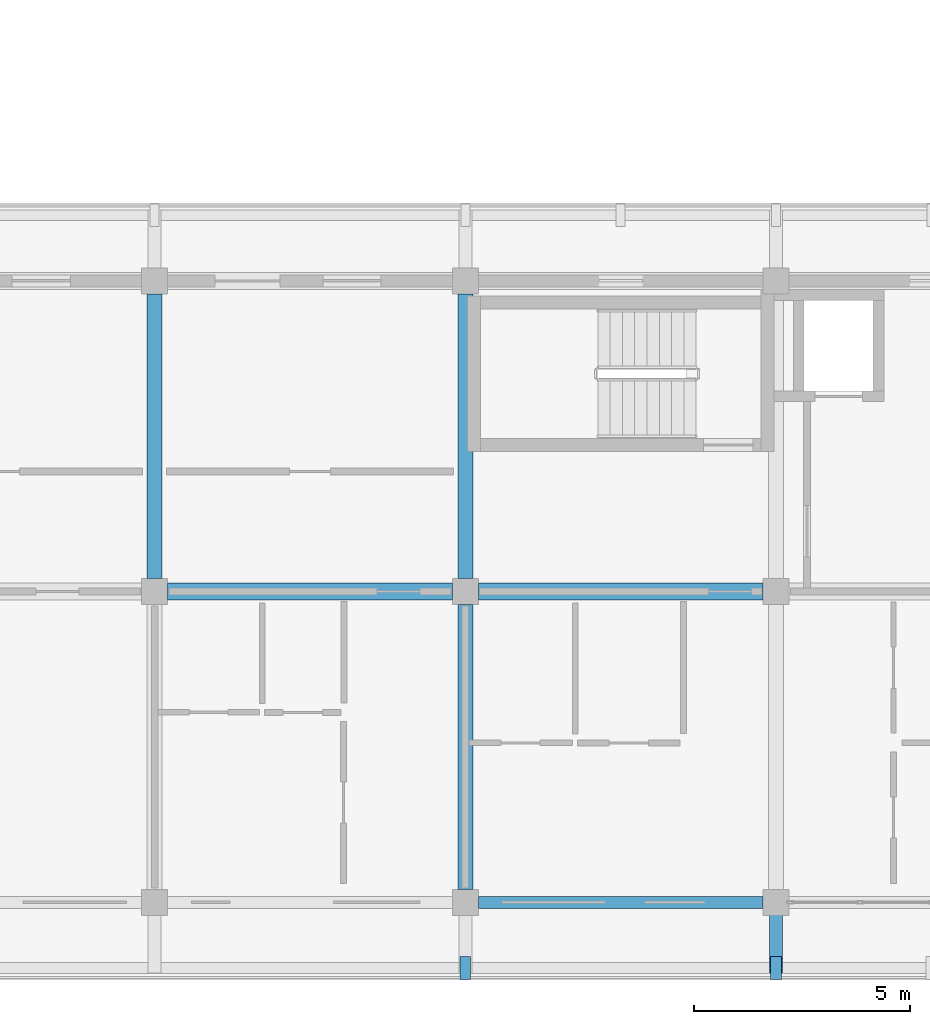
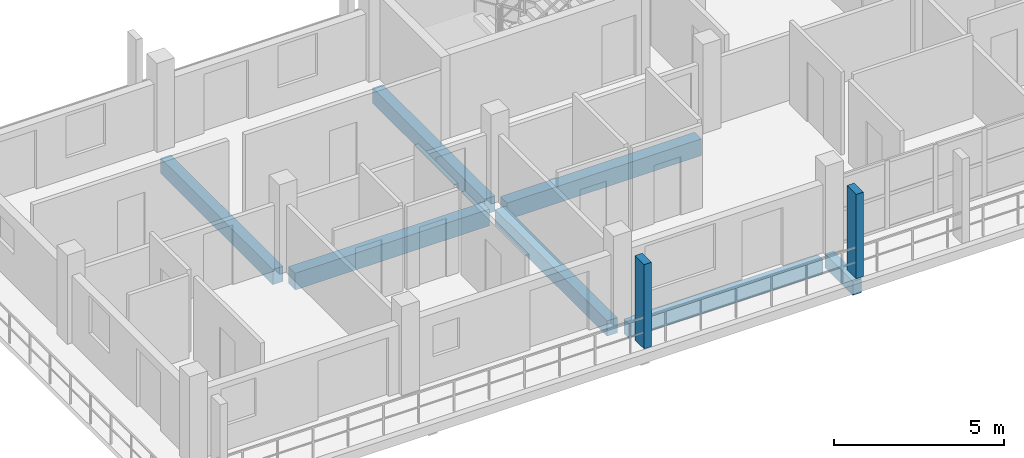
# One storey, part 22 of 76: 7 beams, 2 members.
"""IFC4 building model written with IfcOpenShell, lengths in metres."""

from ifc_helpers import new_model, si_unit, direction, frame, origin, origin_2d, place, context, subcontext, project, spatial, rectangle, extrude, material, material_profile, profile_set, type_object, element, save


model = new_model("IFC4")

# Units and contexts
model_context = context("Model", 3, precision=1e-05, world=origin(), true_north=direction((0.0, 1.0)))
body_context = subcontext(model_context, "Body", "Model", "MODEL_VIEW")
ifc_project = project(units=[si_unit("LENGTHUNIT", "METRE"), si_unit("AREAUNIT", "SQUARE_METRE"), si_unit("VOLUMEUNIT", "CUBIC_METRE"), si_unit("PLANEANGLEUNIT", "RADIAN"), si_unit("MASSUNIT", "GRAM", prefix="KILO")], contexts=[model_context])

# Site, building, storey
site_placement = place(None, origin())
site = spatial("IfcSite", under=ifc_project, at=site_placement, CompositionType="ELEMENT")
building_placement = place(site_placement, origin())
building = spatial("IfcBuilding", under=site, at=building_placement, Name="Suanplinth Sawtooth Commons", CompositionType="ELEMENT")
storey_placement = place(building_placement, frame((0.0, 0.0, 12.199951171875)))
storey = spatial("IfcBuildingStorey", under=building, at=storey_placement, Name="L03", CompositionType="ELEMENT", Elevation=12.199951171875)

# Beams
ifc_material_1 = material(Name="Precast concrete C40/50", Category="concrete")
ifc_material_profile_1 = material_profile(ifc_material_1, rectangle(XDim=0.39990234375, YDim=0.60009765625, at=origin_2d()), Name="PC-GDR 400x600")
ifc_profile_set_1 = profile_set([ifc_material_profile_1], Name="Precast concrete C40/50")
beam_type_1 = type_object("IfcBeamType", Name="B-05", PredefinedType="USERDEFINED", material=ifc_profile_set_1)
beam_1_placement = place(storey_placement, frame((129.89990234375, 7.199951171875, -0.5400390625), z_axis=(1.0, 0.0, 0.0), x_axis=(0.0, 1.0, 0.0)))
element("IfcBeam", 1, at=beam_1_placement, inside=storey, type_object=beam_type_1, Name="BMX-L03-C-18-1", ObjectType="GIRDER", PredefinedType="USERDEFINED", context=body_context, shape_type="SweptSolid", body=[
    extrude(rectangle(XDim=0.39990234375, YDim=0.60009765625, at=origin_2d()), origin(), (0.0, 0.0, 1.0), 6.60009765625),
])
beam_2_placement = place(storey_placement, frame((137.10009765625, 7.199951171875, -0.5400390625), z_axis=(1.0, 0.0, 0.0), x_axis=(0.0, 1.0, 0.0)))
element("IfcBeam", 2, at=beam_2_placement, inside=storey, type_object=beam_type_1, Name="BMX-L03-C-19-1", ObjectType="GIRDER", PredefinedType="USERDEFINED", context=body_context, shape_type="SweptSolid", body=[
    extrude(rectangle(XDim=0.39990234375, YDim=0.60009765625, at=origin_2d()), origin(), (0.0, 0.0, 1.0), 6.599853515625),
])
ifc_material_profile_2 = material_profile(ifc_material_1, rectangle(XDim=0.35009765625, YDim=0.550048828125, at=origin_2d()), Name="PC-BM 350x550")
ifc_profile_set_2 = profile_set([ifc_material_profile_2], Name="Precast concrete C40/50")
beam_type_2 = type_object("IfcBeamType", Name="B-06", PredefinedType="BEAM", material=ifc_profile_set_2)
beam_3_placement = place(storey_placement, frame((129.60009765625, 7.5, -0.514892578125), z_axis=(0.0, 1.0, 0.0), x_axis=(-1.0, 0.0, 0.0)))
element("IfcBeam", 3, at=beam_3_placement, inside=storey, type_object=beam_type_2, Name="BMY-L03-C-18-1", PredefinedType="BEAM", context=body_context, shape_type="SweptSolid", body=[
    extrude(rectangle(XDim=0.35009765625, YDim=0.550048828125, at=origin_2d()), origin(), (0.0, 0.0, 1.0), 6.60009765625),
])
beam_4_placement = place(storey_placement, frame((136.800048828125, 0.300048828125, -0.514892578125), z_axis=(0.0, 1.0, 0.0), x_axis=(-1.0, 0.0, 0.0)))
element("IfcBeam", 4, at=beam_4_placement, inside=storey, type_object=beam_type_2, Name="BMY-L03-C-19-0", PredefinedType="BEAM", context=body_context, shape_type="SweptSolid", body=[
    extrude(rectangle(XDim=0.35009765625, YDim=0.550048828125, at=origin_2d()), origin(), (0.0, 0.0, 1.0), 6.599853515625),
])
beam_5_placement = place(storey_placement, frame((136.800048828125, 7.5, -0.514892578125), z_axis=(0.0, 1.0, 0.0), x_axis=(-1.0, 0.0, 0.0)))
element("IfcBeam", 5, at=beam_5_placement, inside=storey, type_object=beam_type_2, Name="BMY-L03-C-19-1", PredefinedType="BEAM", context=body_context, shape_type="SweptSolid", body=[
    extrude(rectangle(XDim=0.35009765625, YDim=0.550048828125, at=origin_2d()), origin(), (0.0, 0.0, 1.0), 6.60009765625),
])
ifc_material_profile_3 = material_profile(ifc_material_1, rectangle(XDim=0.300048828125, YDim=0.5, at=origin_2d()), Name="PC-BM 300x500")
ifc_profile_set_3 = profile_set([ifc_material_profile_3], Name="Precast concrete C40/50")
beam_type_3 = type_object("IfcBeamType", Name="B-07", PredefinedType="BEAM", material=ifc_profile_set_3)
beam_6_placement = place(storey_placement, frame((144.0, 0.0, -0.429931640625), z_axis=(0.0, -1.0, 0.0), x_axis=(1.0, 0.0, 0.0)))
element("IfcBeam", 6, at=beam_6_placement, inside=storey, type_object=beam_type_3, Name="Balcony Outrigger L03-C-S-20", PredefinedType="BEAM", context=body_context, shape_type="SweptSolid", body=[
    extrude(rectangle(XDim=0.300048828125, YDim=0.5, at=origin_2d()), origin(), (0.0, 0.0, 1.0), 1.639892578125),
])
ifc_material_profile_4 = material_profile(ifc_material_1, rectangle(XDim=0.280029296875, YDim=0.52001953125, at=origin_2d()), Name="PC-SP 280x520")
ifc_profile_set_4 = profile_set([ifc_material_profile_4], Name="Precast concrete C40/50")
beam_type_4 = type_object("IfcBeamType", Name="B-08", PredefinedType="SPANDREL", material=ifc_profile_set_4)
beam_7_placement = place(storey_placement, frame((137.10009765625, 0.0, -0.5), z_axis=(1.0, 0.0, 0.0), x_axis=(0.0, 1.0, 0.0)))
element("IfcBeam", 7, at=beam_7_placement, inside=storey, type_object=beam_type_4, Name="BMX-L03-C-19-0", PredefinedType="SPANDREL", context=body_context, shape_type="SweptSolid", body=[
    extrude(rectangle(XDim=0.280029296875, YDim=0.52001953125, at=origin_2d()), origin(), (0.0, 0.0, 1.0), 6.599853515625),
])

# Members
ifc_material_2 = material(Name="Pigmented precast concrete C40/50", Category="concrete")
ifc_material_profile_5 = material_profile(ifc_material_2, rectangle(XDim=0.25, YDim=0.5400390625, at=origin_2d()), Name="PC-FIN 250x540")
ifc_profile_set_5 = profile_set([ifc_material_profile_5], Name="Pigmented precast concrete C40/50")
member_type = type_object("IfcMemberType", Name="M-11", PredefinedType="USERDEFINED", material=ifc_profile_set_5)
for number, where, z_axis, x_axis, name in (
    (8, (136.800048828125, -1.52001953125, 0.0), (0.0, 0.0, 1.0), (1.0, 0.0, 0.0), "Upright Solar Blade L03-C-S-02"),
    (9, (144.0, -1.52001953125, 0.0), (0.0, 0.0, 1.0), (1.0, 0.0, 0.0), "Upright Solar Blade L03-C-S-03"),
):
    element("IfcMember", number, at=place(storey_placement, frame(where, z_axis=z_axis, x_axis=x_axis)), inside=storey, type_object=member_type, Name=name, ObjectType="SHADING FIN", PredefinedType="USERDEFINED", context=body_context, shape_type="SweptSolid", body=[
        extrude(rectangle(XDim=0.25, YDim=0.5400390625, at=origin_2d()), origin(), (0.0, 0.0, 1.0), 3.030029296875),
    ])

save(model, "model.ifc")
